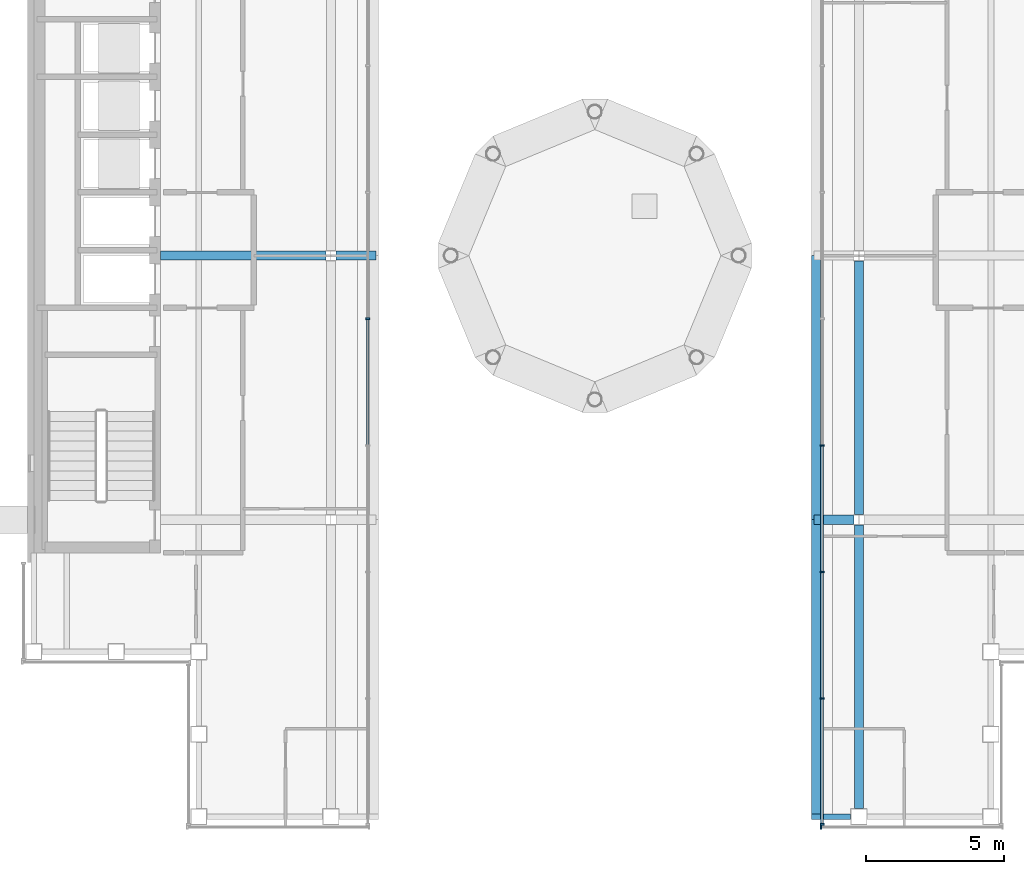
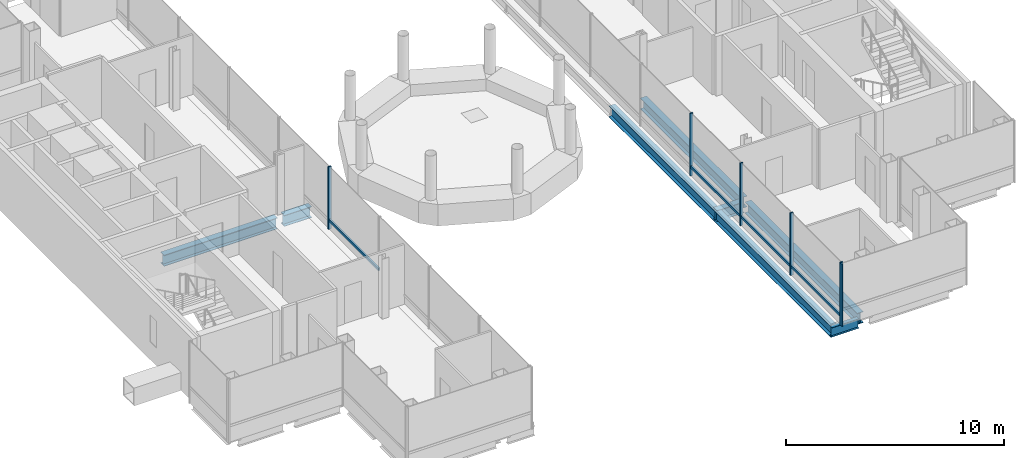
# One storey, part 4 of 16: 10 members, 8 beams, 3 elements without a shape of their own.
"""IFC4 building model written with IfcOpenShell, lengths in metres."""

from ifc_helpers import new_model, si_unit, direction, frame, origin, origin_2d, place, context, subcontext, project, spatial, rectangle, i_section, extrude, material, material_profile, profile_set, type_object, element, aggregate, save


model = new_model("IFC4")

# Units and contexts
model_context = context("Model", 3, precision=1e-05, world=origin(), true_north=direction((0.0, 1.0)))
body_context = subcontext(model_context, "Body", "Model", "MODEL_VIEW")
ifc_project = project(units=[si_unit("LENGTHUNIT", "METRE"), si_unit("AREAUNIT", "SQUARE_METRE"), si_unit("VOLUMEUNIT", "CUBIC_METRE"), si_unit("PLANEANGLEUNIT", "RADIAN"), si_unit("MASSUNIT", "GRAM", prefix="KILO")], contexts=[model_context])

# Site, building, storey
site_placement = place(None, origin())
site = spatial("IfcSite", under=ifc_project, at=site_placement, CompositionType="ELEMENT")
building_placement = place(site_placement, origin())
building = spatial("IfcBuilding", under=site, at=building_placement, Name="Cobrizo Arcos Hotel Tower", CompositionType="ELEMENT")
storey_placement = place(building_placement, frame((0.0, 0.0, 272.5)))
storey = spatial("IfcBuildingStorey", under=building, at=storey_placement, Name="L72", CompositionType="ELEMENT", Elevation=272.5)

# Curtain wall, member
ifc_material_1 = material(Name="Aluminium 6063-T6 anodised bronze", Category="aluminium")
curtain_wall_type_1 = type_object("IfcCurtainWallType", Name="CW-A guest facade", PredefinedType="NOTDEFINED", material=ifc_material_1)
curtain_wall_1_placement = place(storey_placement, origin())
curtain_wall_1 = element("IfcCurtainWall", 1, at=curtain_wall_1_placement, inside=storey, type_object=curtain_wall_type_1, Name="CW-A L72 S face", PredefinedType="NOTDEFINED")
ifc_material_profile_1 = material_profile(ifc_material_1, rectangle(XDim=0.14990234375, YDim=0.06005859375, at=origin_2d()), Name="CW-A mullion 150x60")
ifc_profile_set_1 = profile_set([ifc_material_profile_1], Name="Aluminium 6063-T6 anodised bronze")
member_type_1 = type_object("IfcMemberType", Name="CW-A mullion 150x60", PredefinedType="MULLION", material=ifc_profile_set_1)
member_1_placement = place(storey_placement, frame((8.215087890625, -20.77490234375, 0.0), z_axis=(0.0, 0.0, 1.0), x_axis=(0.0, -1.0, 0.0)))
member_1 = element("IfcMember", 2, at=member_1_placement, type_object=member_type_1, Name="CW-A mullion 1", PredefinedType="MULLION", context=body_context, shape_type="SweptSolid", body=[
    extrude(rectangle(XDim=0.14990234375, YDim=0.06005859375, at=origin_2d()), origin(), (0.0, 0.0, 1.0), 3.5),
])
aggregate(curtain_wall_1, [member_1])

# Curtain wall, members
curtain_wall_type_2 = type_object("IfcCurtainWallType", Name="CW-C arch infill and crown glazing", PredefinedType="NOTDEFINED", material=ifc_material_1)
curtain_wall_2_placement = place(storey_placement, origin())
curtain_wall_2 = element("IfcCurtainWall", 3, at=curtain_wall_2_placement, inside=storey, type_object=curtain_wall_type_2, Name="CW-C L72 W face", PredefinedType="NOTDEFINED")
ifc_material_profile_2 = material_profile(ifc_material_1, rectangle(XDim=0.14990234375, YDim=0.070068359375, at=origin_2d()), Name="CW-C mullion 150x70")
ifc_profile_set_2 = profile_set([ifc_material_profile_2], Name="Aluminium 6063-T6 anodised bronze")
member_type_2 = type_object("IfcMemberType", Name="CW-C mullion 150x70", PredefinedType="MULLION", material=ifc_profile_set_2)
member_2_placement = place(storey_placement, frame((8.260009765625, -6.89990234375, 0.0), z_axis=(0.0, 0.0, 1.0), x_axis=(-1.0, 0.0, 0.0)))
member_2 = element("IfcMember", 4, at=member_2_placement, type_object=member_type_2, Name="CW-C mullion 7", PredefinedType="MULLION", context=body_context, shape_type="SweptSolid", body=[
    extrude(rectangle(XDim=0.14990234375, YDim=0.070068359375, at=origin_2d()), origin(), (0.0, 0.0, 1.0), 3.5),
])
member_3_placement = place(storey_placement, frame((8.260009765625, -11.5, 0.0), z_axis=(0.0, 0.0, 1.0), x_axis=(-1.0, 0.0, 0.0)))
member_3 = element("IfcMember", 5, at=member_3_placement, type_object=member_type_2, Name="CW-C mullion 8", PredefinedType="MULLION", context=body_context, shape_type="SweptSolid", body=[
    extrude(rectangle(XDim=0.14990234375, YDim=0.070068359375, at=origin_2d()), origin(), (0.0, 0.0, 1.0), 3.5),
])
member_4_placement = place(storey_placement, frame((8.260009765625, -16.10009765625, 0.0), z_axis=(0.0, 0.0, 1.0), x_axis=(-1.0, 0.0, 0.0)))
member_4 = element("IfcMember", 6, at=member_4_placement, type_object=member_type_2, Name="CW-C mullion 9", PredefinedType="MULLION", context=body_context, shape_type="SweptSolid", body=[
    extrude(rectangle(XDim=0.14990234375, YDim=0.070068359375, at=origin_2d()), origin(), (0.0, 0.0, 1.0), 3.5),
])
member_5_placement = place(storey_placement, frame((8.260009765625, -20.6650390625, 0.0), z_axis=(0.0, 0.0, 1.0), x_axis=(-1.0, 0.0, 0.0)))
member_5 = element("IfcMember", 7, at=member_5_placement, type_object=member_type_2, Name="CW-C mullion 10", PredefinedType="MULLION", context=body_context, shape_type="SweptSolid", body=[
    extrude(rectangle(XDim=0.14990234375, YDim=0.070068359375, at=origin_2d()), origin(), (0.0, 0.0, 1.0), 3.5),
])

# Curtain wall, member
curtain_wall_3_placement = place(storey_placement, origin())
curtain_wall_3 = element("IfcCurtainWall", 8, at=curtain_wall_3_placement, inside=storey, type_object=curtain_wall_type_2, Name="CW-C L72 E face", PredefinedType="NOTDEFINED")
member_6_placement = place(storey_placement, frame((-8.260009765625, -2.300048828125, 0.0), z_axis=(0.0, 0.0, 1.0), x_axis=(1.0, 0.0, 0.0)))
member_6 = element("IfcMember", 9, at=member_6_placement, type_object=member_type_2, Name="CW-C mullion 5", PredefinedType="MULLION", context=body_context, shape_type="SweptSolid", body=[
    extrude(rectangle(XDim=0.14990234375, YDim=0.070068359375, at=origin_2d()), origin(), (0.0, 0.0, 1.0), 3.5),
])

# Member
ifc_material_profile_3 = material_profile(ifc_material_1, rectangle(XDim=0.10009765625, YDim=0.139892578125, at=origin_2d()), Name="CW-C transom 140x100")
ifc_profile_set_3 = profile_set([ifc_material_profile_3], Name="Aluminium 6063-T6 anodised bronze")
member_type_3 = type_object("IfcMemberType", Name="CW-C transom 140x100", PredefinedType="USERDEFINED", material=ifc_profile_set_3)
member_7_placement = place(storey_placement, frame((8.260009765625, -6.93505859375, 0.5), z_axis=(0.0, -1.0, 0.0), x_axis=(1.0, 0.0, 0.0)))
member_7 = element("IfcMember", 10, at=member_7_placement, type_object=member_type_3, Name="CW-C transom 2263", ObjectType="TRANSOM", PredefinedType="USERDEFINED", context=body_context, shape_type="SweptSolid", body=[
    extrude(rectangle(XDim=0.10009765625, YDim=0.139892578125, at=origin_2d()), origin(), (0.0, 0.0, 1.0), 4.530029296875),
])

member_8_placement = place(storey_placement, frame((8.260009765625, -11.534912109375, 0.5), z_axis=(0.0, -1.0, 0.0), x_axis=(1.0, 0.0, 0.0)))
member_8 = element("IfcMember", 11, at=member_8_placement, type_object=member_type_3, Name="CW-C transom 2264", ObjectType="TRANSOM", PredefinedType="USERDEFINED", context=body_context, shape_type="SweptSolid", body=[
    extrude(rectangle(XDim=0.10009765625, YDim=0.139892578125, at=origin_2d()), origin(), (0.0, 0.0, 1.0), 4.530029296875),
])

member_9_placement = place(storey_placement, frame((8.260009765625, -16.135009765625, 0.5), z_axis=(0.0, -1.0, 0.0), x_axis=(1.0, 0.0, 0.0)))
member_9 = element("IfcMember", 12, at=member_9_placement, type_object=member_type_3, Name="CW-C transom 2265", ObjectType="TRANSOM", PredefinedType="USERDEFINED", context=body_context, shape_type="SweptSolid", body=[
    extrude(rectangle(XDim=0.10009765625, YDim=0.139892578125, at=origin_2d()), origin(), (0.0, 0.0, 1.0), 4.494873046875),
])

aggregate(curtain_wall_2, [member_2, member_3, member_4, member_5, member_7, member_8, member_9])

member_10_placement = place(storey_placement, frame((-8.260009765625, -6.864990234375, 0.5), z_axis=(0.0, 1.0, 0.0), x_axis=(-1.0, 0.0, 0.0)))
member_10 = element("IfcMember", 13, at=member_10_placement, type_object=member_type_3, Name="CW-C transom 2277", ObjectType="TRANSOM", PredefinedType="USERDEFINED", context=body_context, shape_type="SweptSolid", body=[
    extrude(rectangle(XDim=0.10009765625, YDim=0.139892578125, at=origin_2d()), origin(), (0.0, 0.0, 1.0), 4.530029296875),
])

aggregate(curtain_wall_3, [member_6, member_10])

# Beams
ifc_material_2 = material(Name="Steel ASTM A992 Grade 50", Category="steel")
ifc_material_profile_4 = material_profile(ifc_material_2, i_section(OverallWidth=0.209228515625, OverallDepth=0.533447265625, WebThickness=0.01025390625, FlangeThickness=0.015625, at=origin_2d()), Name="W21X62")
ifc_profile_set_4 = profile_set([ifc_material_profile_4], Name="Steel ASTM A992 Grade 50")
beam_type_1 = type_object("IfcBeamType", Name="W21X62 spandrel", PredefinedType="SPANDREL", material=ifc_profile_set_4)
beam_1_placement = place(storey_placement, frame((9.300048828125, -20.39990234375, -0.416748046875), z_axis=(-1.0, 0.0, 0.0), x_axis=(0.0, -1.0, 0.0)))
element("IfcBeam", 14, at=beam_1_placement, inside=storey, type_object=beam_type_1, Name="Spandrel beam W21X62, L72, no. 028", PredefinedType="SPANDREL", context=body_context, shape_type="SweptSolid", body=[
    extrude(i_section(OverallWidth=0.209228515625, OverallDepth=0.533447265625, WebThickness=0.01025390625, FlangeThickness=0.015625, at=origin_2d()), origin(), (0.0, 0.0, 1.0), 1.427978515625),
])
ifc_material_profile_5 = material_profile(ifc_material_2, i_section(OverallWidth=0.32763671875, OverallDepth=0.622314453125, WebThickness=0.015380859375, FlangeThickness=0.0244140625, at=origin_2d()), Name="W24X131")
ifc_profile_set_5 = profile_set([ifc_material_profile_5], Name="Steel ASTM A992 Grade 50")
beam_type_2 = type_object("IfcBeamType", Name="W24X131 edge beam", PredefinedType="BEAM", material=ifc_profile_set_5)
beam_2_placement = place(storey_placement, frame((8.035888671875, -20.39990234375, -0.461181640625), z_axis=(0.0, 1.0, 0.0), x_axis=(-1.0, 0.0, 0.0)))
element("IfcBeam", 15, at=beam_2_placement, inside=storey, type_object=beam_type_2, Name="Edge beam EB1, L72, no. 005", PredefinedType="BEAM", context=body_context, shape_type="SweptSolid", body=[
    extrude(i_section(OverallWidth=0.32763671875, OverallDepth=0.622314453125, WebThickness=0.015380859375, FlangeThickness=0.0244140625, at=origin_2d()), origin(), (0.0, 0.0, 1.0), 10.7998046875),
])
beam_3_placement = place(storey_placement, frame((8.035888671875, -9.60009765625, -0.461181640625), z_axis=(0.0, 1.0, 0.0), x_axis=(-1.0, 0.0, 0.0)))
element("IfcBeam", 16, at=beam_3_placement, inside=storey, type_object=beam_type_2, Name="Edge beam EB1, L72, no. 006", PredefinedType="BEAM", context=body_context, shape_type="SweptSolid", body=[
    extrude(i_section(OverallWidth=0.32763671875, OverallDepth=0.622314453125, WebThickness=0.015380859375, FlangeThickness=0.0244140625, at=origin_2d()), origin(), (0.0, 0.0, 1.0), 9.60009765625),
])
ifc_material_profile_6 = material_profile(ifc_material_2, i_section(OverallWidth=0.32763671875, OverallDepth=0.622314453125, WebThickness=0.015380859375, FlangeThickness=0.0244140625, at=origin_2d()), Name="W24X131")
ifc_profile_set_6 = profile_set([ifc_material_profile_6], Name="Steel ASTM A992 Grade 50")
beam_type_3 = type_object("IfcBeamType", Name="W24X131 girder", PredefinedType="BEAM", material=ifc_profile_set_6)
beam_4_placement = place(storey_placement, frame((7.962158203125, -9.60009765625, -0.461181640625), z_axis=(1.0, 0.0, 0.0), x_axis=(0.0, 1.0, 0.0)))
element("IfcBeam", 17, at=beam_4_placement, inside=storey, type_object=beam_type_3, Name="Floor girder G1, L72, no. 003", PredefinedType="BEAM", context=body_context, shape_type="SweptSolid", body=[
    extrude(i_section(OverallWidth=0.32763671875, OverallDepth=0.622314453125, WebThickness=0.015380859375, FlangeThickness=0.0244140625, at=origin_2d()), origin(), (0.0, 0.0, 1.0), 1.45361328125),
])
beam_5_placement = place(storey_placement, frame((-15.7900390625, 0.0, -0.461181640625), z_axis=(1.0, 0.0, 0.0), x_axis=(0.0, 1.0, 0.0)))
element("IfcBeam", 18, at=beam_5_placement, inside=storey, type_object=beam_type_3, Name="Floor girder G1, L72, no. 005", PredefinedType="BEAM", context=body_context, shape_type="SweptSolid", body=[
    extrude(i_section(OverallWidth=0.32763671875, OverallDepth=0.622314453125, WebThickness=0.015380859375, FlangeThickness=0.0244140625, at=origin_2d()), origin(), (0.0, 0.0, 1.0), 6.005859375),
])
beam_6_placement = place(storey_placement, frame((-9.415771484375, 0.0, -0.461181640625), z_axis=(1.0, 0.0, 0.0), x_axis=(0.0, 1.0, 0.0)))
element("IfcBeam", 19, at=beam_6_placement, inside=storey, type_object=beam_type_3, Name="Floor girder G1, L72, no. 006", PredefinedType="BEAM", context=body_context, shape_type="SweptSolid", body=[
    extrude(i_section(OverallWidth=0.32763671875, OverallDepth=0.622314453125, WebThickness=0.015380859375, FlangeThickness=0.0244140625, at=origin_2d()), origin(), (0.0, 0.0, 1.0), 1.45361328125),
])
beam_7_placement = place(storey_placement, frame((9.60009765625, -20.10009765625, -0.461181640625), z_axis=(0.0, 1.0, 0.0), x_axis=(-1.0, 0.0, 0.0)))
element("IfcBeam", 20, at=beam_7_placement, inside=storey, type_object=beam_type_3, Name="Floor girder G1, L72, no. 017", PredefinedType="BEAM", context=body_context, shape_type="SweptSolid", body=[
    extrude(i_section(OverallWidth=0.32763671875, OverallDepth=0.622314453125, WebThickness=0.015380859375, FlangeThickness=0.0244140625, at=origin_2d()), origin(), (0.0, 0.0, 1.0), 10.31591796875),
])
beam_8_placement = place(storey_placement, frame((9.60009765625, -9.415771484375, -0.461181640625), z_axis=(0.0, 1.0, 0.0), x_axis=(-1.0, 0.0, 0.0)))
element("IfcBeam", 21, at=beam_8_placement, inside=storey, type_object=beam_type_3, Name="Floor girder G1, L72, no. 018", PredefinedType="BEAM", context=body_context, shape_type="SweptSolid", body=[
    extrude(i_section(OverallWidth=0.32763671875, OverallDepth=0.622314453125, WebThickness=0.015380859375, FlangeThickness=0.0244140625, at=origin_2d()), origin(), (0.0, 0.0, 1.0), 9.231689453125),
])

save(model, "model.ifc")
